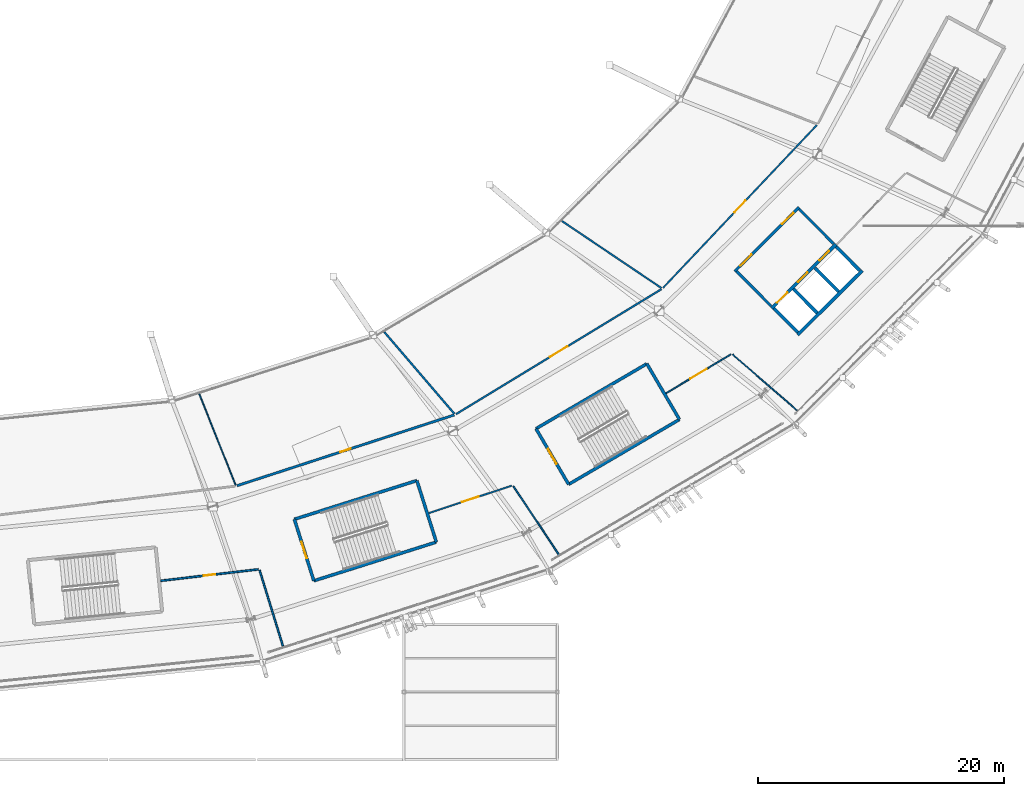
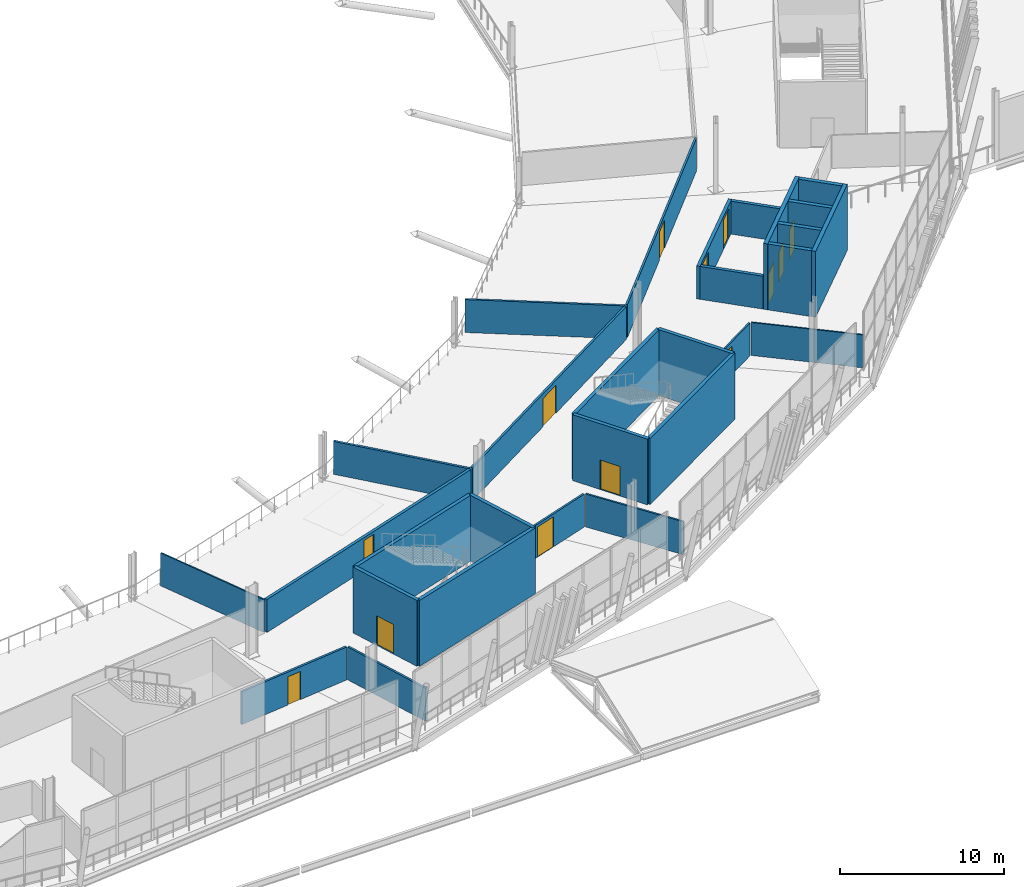
# One storey, part 121 of 168: 29 walls, 13 doors, 13 openings.
"""IFC4 building model written with IfcOpenShell, lengths in metres."""

from ifc_helpers import new_model, si_unit, direction, frame, frame_2d, origin, place, context, subcontext, project, spatial, rectangle, extrude, material, layer, layer_set, type_object, element, fill, save


model = new_model("IFC4")

# Units and contexts
model_context = context("Model", 3, precision=1e-05, world=origin(), true_north=direction((0.0, 1.0)))
body_context = subcontext(model_context, "Body", "Model", "MODEL_VIEW")
ifc_project = project(units=[si_unit("LENGTHUNIT", "METRE"), si_unit("AREAUNIT", "SQUARE_METRE"), si_unit("VOLUMEUNIT", "CUBIC_METRE"), si_unit("PLANEANGLEUNIT", "RADIAN"), si_unit("MASSUNIT", "GRAM", prefix="KILO")], contexts=[model_context])

# Site, building, storey
site_placement = place(None, origin())
site = spatial("IfcSite", under=ifc_project, at=site_placement, CompositionType="ELEMENT")
building_placement = place(site_placement, origin())
building = spatial("IfcBuilding", under=site, at=building_placement, Name="Zlatoyarsky Gate Stadium", CompositionType="ELEMENT")
storey_placement = place(building_placement, frame((0.0, 0.0, 15.60009765625)))
storey = spatial("IfcBuildingStorey", under=building, at=storey_placement, Name="L03", CompositionType="ELEMENT", Elevation=15.60009765625)

# Walls
ifc_material_1 = material(Name="Moisture-resistant masonry partition", Category="masonry")
ifc_layer_1 = layer(ifc_material_1, 0.139892578125)
ifc_layer_set_1 = layer_set([ifc_layer_1], Name="Moisture-resistant masonry partition")
wall_type_1 = type_object("IfcWallType", Name="ATHLETE CHANGING BLOCK PARTITION 140", PredefinedType="PARTITIONING", material=ifc_layer_set_1)
wall_1_placement = place(storey_placement, frame((160.373291015625, 43.802001953125, 0.0), z_axis=(0.0, 0.0, 1.0), x_axis=(0.829463685408, -0.5585606454, 0.0)))
element("IfcWall", 1, at=wall_1_placement, inside=storey, type_object=wall_type_1, Name="L03 interior partition PRT-L03-IRD-21", PredefinedType="PARTITIONING", context=body_context, shape_type="SweptSolid", body=[
    extrude(rectangle(XDim=9.748291015625, YDim=0.139892578125, at=frame_2d((4.8740234375, 0.0))), origin(), (0.0, 0.0, 1.0), 2.449951171875),
])
wall_2_placement = place(storey_placement, frame((135.76416015625, 15.402587890625, 0.0), z_axis=(0.0, 0.0, 1.0), x_axis=(0.294798640685, -0.955559397133, 0.0)))
element("IfcWall", 2, at=wall_2_placement, inside=storey, type_object=wall_type_1, Name="L03 interior partition PRT-L03-ORD-18R", PredefinedType="PARTITIONING", context=body_context, shape_type="SweptSolid", body=[
    extrude(rectangle(XDim=6.497802734375, YDim=0.139892578125, at=frame_2d((3.2490234375, 0.0))), origin(), (0.0, 0.0, 1.0), 2.449951171875),
])

# Wall, opening, door
ifc_material_2 = material(Name="Gypsum-clad mineral wool fire partition", Category="gypsum")
ifc_layer_2 = layer(ifc_material_2, 0.199951171875)
ifc_layer_set_2 = layer_set([ifc_layer_2], Name="Gypsum-clad mineral wool fire partition")
wall_type_2 = type_object("IfcWallType", Name="COMPARTMENT FIRE PARTITION WALL 200", PredefinedType="PARTITIONING", material=ifc_layer_set_2)
wall_3_placement = place(storey_placement, frame((133.928955078125, 22.27685546875, 0.0), z_axis=(0.0, 0.0, 1.0), x_axis=(0.950832746892, 0.309704839223, 0.0)))
wall_3 = element("IfcWall", 3, at=wall_3_placement, inside=storey, type_object=wall_type_2, Name="L03 interior partition PRT-L03-ICC-19", PredefinedType="PARTITIONING", context=body_context, shape_type="SweptSolid", body=[
    extrude(rectangle(XDim=18.581787109375, YDim=0.199951171875, at=frame_2d((9.291015625, 0.0))), origin(), (0.0, 0.0, 1.0), 2.449951171875),
])
opening_1_placement = place(wall_3_placement, frame((8.8408203125, 0.0, 0.0)))
opening_1 = element("IfcOpeningElement", 4, at=opening_1_placement, cuts=wall_3, Name="Opening D-L03-440", PredefinedType="OPENING", context=body_context, shape_type="SweptSolid", body=[
    extrude(rectangle(XDim=0.89990234375, YDim=2.239990234375, at=frame_2d((0.449951171875, 1.1201171875))), frame((0.0, 0.10986328125, 0.0), z_axis=(0.0, -1.0, 0.0), x_axis=(1.0, 0.0, 0.0)), (0.0, 0.0, 1.0), 0.219970703125),
])
ifc_material_3 = material(Name="Powder-coated steel fire door", Category="steel")
door_type_1 = type_object("IfcDoorType", Name="ACOUSTIC INTERIOR DOOR 900X2240", OperationType="NOTDEFINED", PredefinedType="DOOR", material=ifc_material_3)
door_1_placement = place(opening_1_placement, origin())
door_1 = element("IfcDoor", 5, at=door_1_placement, inside=storey, type_object=door_type_1, Name="L03 room door D-L03-440", OperationType="SINGLE_SWING_LEFT", OverallHeight=2.239990234375, OverallWidth=0.89990234375, PredefinedType="DOOR", context=body_context, shape_type="SweptSolid", body=[
    extrude(rectangle(XDim=0.89990234375, YDim=2.239990234375, at=frame_2d((0.449951171875, 1.1201171875))), frame((0.0, 0.02490234375, 0.0), z_axis=(0.0, -1.0, 0.0), x_axis=(1.0, 0.0, 0.0)), (0.0, 0.0, 1.0), 0.050048828125),
])
fill(opening_1, door_1)

ifc_material_4 = material(Name="Metal-stud gypsum partition", Category="gypsum")
ifc_layer_3 = layer(ifc_material_4, 0.14990234375)
ifc_layer_set_3 = layer_set([ifc_layer_3], Name="Metal-stud gypsum partition")
wall_type_3 = type_object("IfcWallType", Name="CONCOURSE CORRIDOR PARTITION 150", PredefinedType="PARTITIONING", material=ifc_layer_set_3)
wall_4_placement = place(storey_placement, frame((151.75048828125, 28.102294921875, 0.0), z_axis=(0.0, 0.0, 1.0), x_axis=(0.854342934422, 0.519709678959, 0.0)))
wall_4 = element("IfcWall", 6, at=wall_4_placement, inside=storey, type_object=wall_type_3, Name="L03 interior partition PRT-L03-ICC-20", PredefinedType="PARTITIONING", context=body_context, shape_type="SweptSolid", body=[
    extrude(rectangle(XDim=19.554931640625, YDim=0.14990234375, at=frame_2d((9.77734375, 0.0))), origin(), (0.0, 0.0, 1.0), 2.449951171875),
])
opening_2_placement = place(wall_4_placement, frame((8.9375, 0.0, 0.0)))
opening_2 = element("IfcOpeningElement", 7, at=opening_2_placement, cuts=wall_4, Name="Opening D-L03-442", PredefinedType="OPENING", context=body_context, shape_type="SweptSolid", body=[
    extrude(rectangle(XDim=1.679931640625, YDim=2.10009765625, at=frame_2d((0.83984375, 1.050048828125))), frame((0.0, 0.0849609375, 0.0), z_axis=(0.0, -1.0, 0.0), x_axis=(1.0, 0.0, 0.0)), (0.0, 0.0, 1.0), 0.169921875),
])
door_type_2 = type_object("IfcDoorType", Name="ACOUSTIC INTERIOR DOOR 1680X2100", OperationType="NOTDEFINED", PredefinedType="DOOR", material=ifc_material_3)
door_2_placement = place(opening_2_placement, origin())
door_2 = element("IfcDoor", 8, at=door_2_placement, inside=storey, type_object=door_type_2, Name="L03 room door D-L03-442", OperationType="SINGLE_SWING_RIGHT", OverallHeight=2.10009765625, OverallWidth=1.679931640625, PredefinedType="DOOR", context=body_context, shape_type="SweptSolid", body=[
    extrude(rectangle(XDim=1.679931640625, YDim=2.10009765625, at=frame_2d((0.83984375, 1.050048828125))), frame((0.0, 0.02490234375, 0.0), z_axis=(0.0, -1.0, 0.0), x_axis=(1.0, 0.0, 0.0)), (0.0, 0.0, 1.0), 0.050048828125),
])
fill(opening_2, door_2)

wall_5_placement = place(storey_placement, frame((127.723388671875, 14.5439453125, 0.0), z_axis=(0.0, 0.0, 1.0), x_axis=(0.993196645999, 0.116449226602, 0.0)))
wall_5 = element("IfcWall", 9, at=wall_5_placement, inside=storey, type_object=wall_type_3, Name="L03 interior partition PRT-L03-OCC-18-1", PredefinedType="PARTITIONING", context=body_context, shape_type="SweptSolid", body=[
    extrude(rectangle(XDim=7.98583984375, YDim=0.14990234375, at=frame_2d((3.992919921875, 0.0))), origin(), (0.0, 0.0, 1.0), 2.449951171875),
])
opening_3_placement = place(wall_5_placement, frame((3.512939453125, 0.0, 0.0)))
opening_3 = element("IfcOpeningElement", 10, at=opening_3_placement, cuts=wall_5, Name="Opening D-L03-482", PredefinedType="OPENING", context=body_context, shape_type="SweptSolid", body=[
    extrude(rectangle(XDim=0.9599609375, YDim=2.10009765625, at=frame_2d((0.47998046875, 1.050048828125))), frame((0.0, 0.0849609375, 0.0), z_axis=(0.0, -1.0, 0.0), x_axis=(1.0, 0.0, 0.0)), (0.0, 0.0, 1.0), 0.169921875),
])
door_type_3 = type_object("IfcDoorType", Name="ACOUSTIC INTERIOR DOOR 960X2100", OperationType="NOTDEFINED", PredefinedType="DOOR", material=ifc_material_3)
door_3_placement = place(opening_3_placement, origin())
door_3 = element("IfcDoor", 11, at=door_3_placement, inside=storey, type_object=door_type_3, Name="L03 room door D-L03-482", OperationType="SINGLE_SWING_RIGHT", OverallHeight=2.10009765625, OverallWidth=0.9599609375, PredefinedType="DOOR", context=body_context, shape_type="SweptSolid", body=[
    extrude(rectangle(XDim=0.9599609375, YDim=2.10009765625, at=frame_2d((0.47998046875, 1.050048828125))), frame((0.0, 0.02490234375, 0.0), z_axis=(0.0, -1.0, 0.0), x_axis=(1.0, 0.0, 0.0)), (0.0, 0.0, 1.0), 0.050048828125),
])
fill(opening_3, door_3)

# Walls
ifc_material_5 = material(Name="Concrete C40/50", Category="concrete")
ifc_layer_4 = layer(ifc_material_5, 0.27001953125)
ifc_layer_set_4 = layer_set([ifc_layer_4], Name="Concrete C40/50")
wall_type_4 = type_object("IfcWallType", Name="CONCRETE LIFT SHAFT SHEAR WALL 270", PredefinedType="SHEAR", material=ifc_layer_set_4)
wall_6_placement = place(storey_placement, frame((179.547119140625, 34.556396484375, 0.0), z_axis=(0.0, 0.0, 1.0), x_axis=(0.708902567846, 0.705306422274, 0.0)))
element("IfcWall", 12, at=wall_6_placement, inside=storey, type_object=wall_type_4, Name="C4 L03 lift shaft rear wall", PredefinedType="SHEAR", context=body_context, shape_type="SweptSolid", body=[
    extrude(rectangle(XDim=7.39990234375, YDim=0.27001953125, at=frame_2d((3.699951171875, 0.0))), origin(), (0.0, 0.0, 1.0), 4.89990234375),
])
for number, where, z_axis, x_axis, name in (
    (13, (179.54052734375, 34.75439453125, 0.0), (0.0, 0.0, 1.0), (-0.705322518225, 0.708886553183, 0.0), "C4 L03 lift shaft left wall"),
    (14, (184.594970703125, 39.783203125, 0.0), (0.0, 0.0, 1.0), (-0.705322518225, 0.708886553183, 0.0), "C4 L03 lift shaft right wall"),
    (15, (181.12841796875, 36.334228515625, 0.0), (0.0, 0.0, 1.0), (-0.705322518225, 0.708886553183, 0.0), "C4 L03 lift shaft divider 1"),
    (16, (182.865234375, 38.062255859375, 0.0), (0.0, 0.0, 1.0), (-0.705322518225, 0.708886553183, 0.0), "C4 L03 lift shaft divider 2"),
):
    element("IfcWall", number, at=place(storey_placement, frame(where, z_axis=z_axis, x_axis=x_axis)), inside=storey, type_object=wall_type_4, Name=name, PredefinedType="SHEAR", context=body_context, shape_type="SweptSolid", body=[
        extrude(rectangle(XDim=2.739990234375, YDim=0.27001953125, at=frame_2d((1.3701171875, 0.0))), origin(), (0.0, 0.0, 1.0), 4.89990234375),
    ])

# Wall, openings, doors
wall_7_placement = place(storey_placement, frame((177.409912109375, 36.704345703125, 0.0), z_axis=(0.0, 0.0, 1.0), x_axis=(0.708918979457, 0.705289926602, 0.0)))
wall_7 = element("IfcWall", 17, at=wall_7_placement, inside=storey, type_object=wall_type_4, Name="C4 L03 lift landing front wall", PredefinedType="SHEAR", context=body_context, shape_type="SweptSolid", body=[
    extrude(rectangle(XDim=7.400146484375, YDim=0.27001953125, at=frame_2d((3.7001953125, 0.0))), origin(), (0.0, 0.0, 1.0), 4.89990234375),
])
opening_4_placement = place(wall_7_placement, frame((0.64990234375, 0.0, 0.0)))
opening_4 = element("IfcOpeningElement", 18, at=opening_4_placement, cuts=wall_7, Name="Opening LD-FL-04-L03", PredefinedType="OPENING", context=body_context, shape_type="SweptSolid", body=[
    extrude(rectangle(XDim=1.199951171875, YDim=2.25, at=frame_2d((0.60009765625, 1.125))), frame((0.0, 0.14501953125, 0.0), z_axis=(0.0, -1.0, 0.0), x_axis=(1.0, 0.0, 0.0)), (0.0, 0.0, 1.0), 0.2900390625),
])
opening_5_placement = place(wall_7_placement, frame((3.050048828125, 0.0, 0.0)))
opening_5 = element("IfcOpeningElement", 19, at=opening_5_placement, cuts=wall_7, Name="Opening LD-LF-07-L03", PredefinedType="OPENING", context=body_context, shape_type="SweptSolid", body=[
    extrude(rectangle(XDim=1.10009765625, YDim=2.199951171875, at=frame_2d((0.550048828125, 1.10009765625))), frame((0.0, 0.14501953125, 0.0), z_axis=(0.0, -1.0, 0.0), x_axis=(1.0, 0.0, 0.0)), (0.0, 0.0, 1.0), 0.2900390625),
])
opening_6_placement = place(wall_7_placement, frame((5.5, 0.0, 0.0)))
opening_6 = element("IfcOpeningElement", 20, at=opening_6_placement, cuts=wall_7, Name="Opening LD-LF-08-L03", PredefinedType="OPENING", context=body_context, shape_type="SweptSolid", body=[
    extrude(rectangle(XDim=1.10009765625, YDim=2.199951171875, at=frame_2d((0.550048828125, 1.10009765625))), frame((0.0, 0.14501953125, 0.0), z_axis=(0.0, -1.0, 0.0), x_axis=(1.0, 0.0, 0.0)), (0.0, 0.0, 1.0), 0.2900390625),
])
door_type_4 = type_object("IfcDoorType", Name="STAINLESS LIFT LANDING SLIDING DOOR 1100X2200", OperationType="DOUBLE_DOOR_SLIDING", PredefinedType="DOOR", material=ifc_material_3)
door_4_placement = place(opening_5_placement, origin())
door_4 = element("IfcDoor", 21, at=door_4_placement, inside=storey, type_object=door_type_4, Name="Lift LF-07 L03 sliding landing door", OperationType="DOUBLE_DOOR_SLIDING", OverallHeight=2.199951171875, OverallWidth=1.10009765625, PredefinedType="DOOR", context=body_context, shape_type="SweptSolid", body=[
    extrude(rectangle(XDim=1.10009765625, YDim=2.199951171875, at=frame_2d((0.550048828125, 1.10009765625))), frame((0.0, 0.02490234375, 0.0), z_axis=(0.0, -1.0, 0.0), x_axis=(1.0, 0.0, 0.0)), (0.0, 0.0, 1.0), 0.050048828125),
])
fill(opening_5, door_4)
door_5_placement = place(opening_6_placement, origin())
door_5 = element("IfcDoor", 22, at=door_5_placement, inside=storey, type_object=door_type_4, Name="Lift LF-08 L03 sliding landing door", OperationType="DOUBLE_DOOR_SLIDING", OverallHeight=2.199951171875, OverallWidth=1.10009765625, PredefinedType="DOOR", context=body_context, shape_type="SweptSolid", body=[
    extrude(rectangle(XDim=1.10009765625, YDim=2.199951171875, at=frame_2d((0.550048828125, 1.10009765625))), frame((0.0, 0.02490234375, 0.0), z_axis=(0.0, -1.0, 0.0), x_axis=(1.0, 0.0, 0.0)), (0.0, 0.0, 1.0), 0.050048828125),
])
fill(opening_6, door_5)
door_type_5 = type_object("IfcDoorType", Name="STAINLESS LIFT LANDING SLIDING DOOR 1200X2250", OperationType="DOUBLE_DOOR_SLIDING", PredefinedType="DOOR", material=ifc_material_3)
door_6_placement = place(opening_4_placement, origin())
door_6 = element("IfcDoor", 23, at=door_6_placement, inside=storey, type_object=door_type_5, Name="Lift FL-04 L03 sliding landing door", OperationType="DOUBLE_DOOR_SLIDING", OverallHeight=2.25, OverallWidth=1.199951171875, PredefinedType="DOOR", context=body_context, shape_type="SweptSolid", body=[
    extrude(rectangle(XDim=1.199951171875, YDim=2.25, at=frame_2d((0.60009765625, 1.125))), frame((0.0, 0.02490234375, 0.0), z_axis=(0.0, -1.0, 0.0), x_axis=(1.0, 0.0, 0.0)), (0.0, 0.0, 1.0), 0.050048828125),
])
fill(opening_4, door_6)

# Wall, opening, door
ifc_layer_5 = layer(ifc_material_5, 0.25)
ifc_layer_set_5 = layer_set([ifc_layer_5], Name="Concrete C40/50")
wall_type_5 = type_object("IfcWallType", Name="CONCRETE STAIR CORE SHEAR WALL 250", PredefinedType="SHEAR", material=ifc_layer_set_5)
wall_8_placement = place(storey_placement, frame((158.25341796875, 26.916015625, 0.0), z_axis=(0.0, 0.0, 1.0), x_axis=(0.505460490551, -0.862849750821, 0.0)))
wall_8 = element("IfcWall", 24, at=wall_8_placement, inside=storey, type_object=wall_type_5, Name="ST-11 L03 stair core entrance shear wall", PredefinedType="SHEAR", context=body_context, shape_type="SweptSolid", body=[
    extrude(rectangle(XDim=5.249755859375, YDim=0.25, at=frame_2d((2.625, 0.0))), origin(), (0.0, 0.0, 1.0), 4.89990234375),
])
opening_7_placement = place(wall_8_placement, frame((1.925048828125, 0.0, 0.0)))
opening_7 = element("IfcOpeningElement", 25, at=opening_7_placement, cuts=wall_8, Name="Opening SD-ST-11-L03", PredefinedType="OPENING", context=body_context, shape_type="SweptSolid", body=[
    extrude(rectangle(XDim=1.39990234375, YDim=2.199951171875, at=frame_2d((0.699951171875, 1.10009765625))), frame((0.0, 0.135009765625, 0.0), z_axis=(0.0, -1.0, 0.0), x_axis=(1.0, 0.0, 0.0)), (0.0, 0.0, 1.0), 0.27001953125),
])
door_type_6 = type_object("IfcDoorType", Name="STAIR CORE FIRE EXIT DOOR 1400X2200", OperationType="NOTDEFINED", PredefinedType="DOOR", material=ifc_material_3)
door_7_placement = place(opening_7_placement, frame((1.39990234375, 0.0, 0.0), z_axis=(0.0, 0.0, 1.0), x_axis=(-1.0, 0.0, 0.0)))
door_7 = element("IfcDoor", 26, at=door_7_placement, inside=storey, type_object=door_type_6, Name="ST-11 L03 stair fire door", OperationType="SINGLE_SWING_LEFT", OverallHeight=2.199951171875, OverallWidth=1.39990234375, PredefinedType="DOOR", context=body_context, shape_type="SweptSolid", body=[
    extrude(rectangle(XDim=1.39990234375, YDim=2.199951171875, at=frame_2d((0.699951171875, 1.10009765625))), frame((0.0, 0.02490234375, 0.0), z_axis=(0.0, -1.0, 0.0), x_axis=(1.0, 0.0, 0.0)), (0.0, 0.0, 1.0), 0.050048828125),
])
fill(opening_7, door_7)

# Walls
wall_9_placement = place(storey_placement, frame((160.906982421875, 22.38623046875, 0.0), z_axis=(0.0, 0.0, 1.0), x_axis=(0.862854686184, 0.505452065513, 0.0)))
element("IfcWall", 27, at=wall_9_placement, inside=storey, type_object=wall_type_5, Name="ST-11 L03 stair core left shear wall", PredefinedType="SHEAR", context=body_context, shape_type="SweptSolid", body=[
    extrude(rectangle(XDim=10.449951171875, YDim=0.25, at=frame_2d((5.22509765625, 0.0))), origin(), (0.0, 0.0, 1.0), 4.89990234375),
])
wall_10_placement = place(storey_placement, frame((169.923828125, 27.668212890625, 0.0), z_axis=(0.0, 0.0, 1.0), x_axis=(-0.505474830399, 0.862841350327, 0.0)))
element("IfcWall", 28, at=wall_10_placement, inside=storey, type_object=wall_type_5, Name="ST-11 L03 stair core far shear wall", PredefinedType="SHEAR", context=body_context, shape_type="SweptSolid", body=[
    extrude(rectangle(XDim=5.250244140625, YDim=0.25, at=frame_2d((2.625, 0.0))), origin(), (0.0, 0.0, 1.0), 4.89990234375),
])
wall_11_placement = place(storey_placement, frame((167.27001953125, 32.1982421875, 0.0), z_axis=(0.0, 0.0, 1.0), x_axis=(-0.862838527648, -0.505479648657, 0.0)))
element("IfcWall", 29, at=wall_11_placement, inside=storey, type_object=wall_type_5, Name="ST-11 L03 stair core right shear wall", PredefinedType="SHEAR", context=body_context, shape_type="SweptSolid", body=[
    extrude(rectangle(XDim=10.449951171875, YDim=0.25, at=frame_2d((5.22509765625, 0.0))), origin(), (0.0, 0.0, 1.0), 4.89990234375),
])

# Wall, opening, door
wall_12_placement = place(storey_placement, frame((138.599609375, 19.5478515625, 0.0), z_axis=(0.0, 0.0, 1.0), x_axis=(0.30152749866, -0.953457480726, 0.0)))
wall_12 = element("IfcWall", 30, at=wall_12_placement, inside=storey, type_object=wall_type_5, Name="ST-16 L03 stair core entrance shear wall", PredefinedType="SHEAR", context=body_context, shape_type="SweptSolid", body=[
    extrude(rectangle(XDim=5.25, YDim=0.25, at=frame_2d((2.625, 0.0))), origin(), (0.0, 0.0, 1.0), 4.89990234375),
])
opening_8_placement = place(wall_12_placement, frame((1.925048828125, 0.0, 0.0)))
opening_8 = element("IfcOpeningElement", 31, at=opening_8_placement, cuts=wall_12, Name="Opening SD-ST-16-L03", PredefinedType="OPENING", context=body_context, shape_type="SweptSolid", body=[
    extrude(rectangle(XDim=1.39990234375, YDim=2.199951171875, at=frame_2d((0.699951171875, 1.10009765625))), frame((0.0, 0.135009765625, 0.0), z_axis=(0.0, -1.0, 0.0), x_axis=(1.0, 0.0, 0.0)), (0.0, 0.0, 1.0), 0.27001953125),
])
door_8_placement = place(opening_8_placement, frame((1.39990234375, 0.0, 0.0), z_axis=(0.0, 0.0, 1.0), x_axis=(-1.0, 0.0, 0.0)))
door_8 = element("IfcDoor", 32, at=door_8_placement, inside=storey, type_object=door_type_6, Name="ST-16 L03 stair fire door", OperationType="SINGLE_SWING_LEFT", OverallHeight=2.199951171875, OverallWidth=1.39990234375, PredefinedType="DOOR", context=body_context, shape_type="SweptSolid", body=[
    extrude(rectangle(XDim=1.39990234375, YDim=2.199951171875, at=frame_2d((0.699951171875, 1.10009765625))), frame((0.0, 0.02490234375, 0.0), z_axis=(0.0, -1.0, 0.0), x_axis=(1.0, 0.0, 0.0)), (0.0, 0.0, 1.0), 0.050048828125),
])
fill(opening_8, door_8)

# Walls
wall_13_placement = place(storey_placement, frame((140.1826171875, 14.542236328125, 0.0), z_axis=(0.0, 0.0, 1.0), x_axis=(0.953459710305, 0.301520448438, 0.0)))
element("IfcWall", 33, at=wall_13_placement, inside=storey, type_object=wall_type_5, Name="ST-16 L03 stair core left shear wall", PredefinedType="SHEAR", context=body_context, shape_type="SweptSolid", body=[
    extrude(rectangle(XDim=10.449951171875, YDim=0.25, at=frame_2d((5.22509765625, 0.0))), origin(), (0.0, 0.0, 1.0), 4.89990234375),
])
wall_14_placement = place(storey_placement, frame((150.146240234375, 17.693115234375, 0.0), z_axis=(0.0, 0.0, 1.0), x_axis=(-0.30152749866, 0.953457480726, 0.0)))
element("IfcWall", 34, at=wall_14_placement, inside=storey, type_object=wall_type_5, Name="ST-16 L03 stair core far shear wall", PredefinedType="SHEAR", context=body_context, shape_type="SweptSolid", body=[
    extrude(rectangle(XDim=5.25, YDim=0.25, at=frame_2d((2.625, 0.0))), origin(), (0.0, 0.0, 1.0), 4.89990234375),
])
wall_15_placement = place(storey_placement, frame((148.563232421875, 22.69873046875, 0.0), z_axis=(0.0, 0.0, 1.0), x_axis=(-0.953459710305, -0.301520448438, 0.0)))
element("IfcWall", 35, at=wall_15_placement, inside=storey, type_object=wall_type_5, Name="ST-16 L03 stair core right shear wall", PredefinedType="SHEAR", context=body_context, shape_type="SweptSolid", body=[
    extrude(rectangle(XDim=10.449951171875, YDim=0.25, at=frame_2d((5.22509765625, 0.0))), origin(), (0.0, 0.0, 1.0), 4.89990234375),
])
ifc_material_6 = material(Name="Autoclaved aerated concrete masonry EI 120", Category="masonry")
ifc_layer_6 = layer(ifc_material_6, 0.219970703125)
ifc_layer_set_6 = layer_set([ifc_layer_6], Name="Autoclaved aerated concrete masonry EI 120")
wall_type_6 = type_object("IfcWallType", Name="FIREFIGHTING LOBBY RATED WALL 220", PredefinedType="PARTITIONING", material=ifc_layer_set_6)
for number, where, z_axis, x_axis, name in (
    (36, (177.378662109375, 36.8916015625, 0.0), (0.0, 0.0, 1.0), (-0.705294916294, 0.708914015273, 0.0), "C4 L03 firefighting lobby left wall"),
    (37, (182.468505859375, 41.955810546875, 0.0), (0.0, 0.0, 1.0), (-0.705294916294, 0.708914015273, 0.0), "C4 L03 firefighting lobby right wall"),
):
    element("IfcWall", number, at=place(storey_placement, frame(where, z_axis=z_axis, x_axis=x_axis)), inside=storey, type_object=wall_type_6, Name=name, PredefinedType="PARTITIONING", context=body_context, shape_type="SweptSolid", body=[
        extrude(rectangle(XDim=3.97998046875, YDim=0.219970703125, at=frame_2d((1.989990234375, 0.0))), origin(), (0.0, 0.0, 1.0), 2.449951171875),
    ])

# Wall, openings, doors
wall_16_placement = place(storey_placement, frame((174.416015625, 39.713623046875, 0.0), z_axis=(0.0, 0.0, 1.0), x_axis=(0.708902567846, 0.705306422274, 0.0)))
wall_16 = element("IfcWall", 38, at=wall_16_placement, inside=storey, type_object=wall_type_6, Name="C4 L03 firefighting lobby front wall", PredefinedType="PARTITIONING", context=body_context, shape_type="SweptSolid", body=[
    extrude(rectangle(XDim=7.39990234375, YDim=0.219970703125, at=frame_2d((3.699951171875, 0.0))), origin(), (0.0, 0.0, 1.0), 2.449951171875),
])
opening_9_placement = place(wall_16_placement, frame((0.64990234375, 0.0, 0.0)))
opening_9 = element("IfcOpeningElement", 39, at=opening_9_placement, cuts=wall_16, Name="Opening FD-C4-L03-A", PredefinedType="OPENING", context=body_context, shape_type="SweptSolid", body=[
    extrude(rectangle(XDim=1.300048828125, YDim=2.199951171875, at=frame_2d((0.64990234375, 1.10009765625))), frame((0.0, 0.119873046875, 0.0), z_axis=(0.0, -1.0, 0.0), x_axis=(1.0, 0.0, 0.0)), (0.0, 0.0, 1.0), 0.239990234375),
])
opening_10_placement = place(wall_16_placement, frame((5.449951171875, 0.0, 0.0)))
opening_10 = element("IfcOpeningElement", 40, at=opening_10_placement, cuts=wall_16, Name="Opening FD-C4-L03-B", PredefinedType="OPENING", context=body_context, shape_type="SweptSolid", body=[
    extrude(rectangle(XDim=1.300048828125, YDim=2.199951171875, at=frame_2d((0.64990234375, 1.10009765625))), frame((0.0, 0.119873046875, 0.0), z_axis=(0.0, -1.0, 0.0), x_axis=(1.0, 0.0, 0.0)), (0.0, 0.0, 1.0), 0.239990234375),
])
door_type_7 = type_object("IfcDoorType", Name="FIREFIGHTING LOBBY FIRE DOOR 1300X2200", OperationType="NOTDEFINED", PredefinedType="DOOR", material=ifc_material_3)
door_9_placement = place(opening_9_placement, origin())
door_9 = element("IfcDoor", 41, at=door_9_placement, inside=storey, type_object=door_type_7, Name="C4 L03 firefighting lobby fire door FD-C4-L03-A", OperationType="SINGLE_SWING_LEFT", OverallHeight=2.199951171875, OverallWidth=1.300048828125, PredefinedType="DOOR", context=body_context, shape_type="SweptSolid", body=[
    extrude(rectangle(XDim=1.300048828125, YDim=2.199951171875, at=frame_2d((0.64990234375, 1.10009765625))), frame((0.0, 0.02490234375, 0.0), z_axis=(0.0, -1.0, 0.0), x_axis=(1.0, 0.0, 0.0)), (0.0, 0.0, 1.0), 0.050048828125),
])
fill(opening_9, door_9)
door_10_placement = place(opening_10_placement, origin())
door_10 = element("IfcDoor", 42, at=door_10_placement, inside=storey, type_object=door_type_7, Name="C4 L03 firefighting lobby fire door FD-C4-L03-B", OperationType="SINGLE_SWING_RIGHT", OverallHeight=2.199951171875, OverallWidth=1.300048828125, PredefinedType="DOOR", context=body_context, shape_type="SweptSolid", body=[
    extrude(rectangle(XDim=1.300048828125, YDim=2.199951171875, at=frame_2d((0.64990234375, 1.10009765625))), frame((0.0, 0.02490234375, 0.0), z_axis=(0.0, -1.0, 0.0), x_axis=(1.0, 0.0, 0.0)), (0.0, 0.0, 1.0), 0.050048828125),
])
fill(opening_10, door_10)

# Walls
ifc_material_7 = material(Name="Timber-veneered acoustic operable partition", Category="wood")
ifc_layer_7 = layer(ifc_material_7, 0.094970703125)
ifc_layer_set_7 = layer_set([ifc_layer_7], Name="Timber-veneered acoustic operable partition")
wall_type_7 = type_object("IfcWallType", Name="FOLDING BANQUET SALON WALL 95", PredefinedType="MOVABLE", material=ifc_layer_set_7)
wall_17_placement = place(storey_placement, frame((130.8681640625, 29.737060546875, 0.0), z_axis=(0.0, 0.0, 1.0), x_axis=(0.3698220883, -0.92910259014, 0.0)))
element("IfcWall", 43, at=wall_17_placement, inside=storey, type_object=wall_type_7, Name="L03 interior partition PRT-L03-IRD-19", PredefinedType="MOVABLE", context=body_context, shape_type="SweptSolid", body=[
    extrude(rectangle(XDim=7.97265625, YDim=0.094970703125, at=frame_2d((3.986328125, 0.0))), origin(), (0.0, 0.0, 1.0), 2.449951171875),
])
ifc_material_8 = material(Name="Acoustic metal-stud gypsum partition", Category="gypsum")
ifc_layer_8 = layer(ifc_material_8, 0.159912109375)
ifc_layer_set_8 = layer_set([ifc_layer_8], Name="Acoustic metal-stud gypsum partition")
wall_type_8 = type_object("IfcWallType", Name="HOSPITALITY SUITE PARTITION 160", PredefinedType="PARTITIONING", material=ifc_layer_set_8)
wall_18_placement = place(storey_placement, frame((145.91943359375, 34.772216796875, 0.0), z_axis=(0.0, 0.0, 1.0), x_axis=(0.651016262889, -0.759063782204, 0.0)))
element("IfcWall", 44, at=wall_18_placement, inside=storey, type_object=wall_type_8, Name="L03 interior partition PRT-L03-IRD-20", PredefinedType="PARTITIONING", context=body_context, shape_type="SweptSolid", body=[
    extrude(rectangle(XDim=8.76025390625, YDim=0.159912109375, at=frame_2d((4.380126953125, 0.0))), origin(), (0.0, 0.0, 1.0), 2.449951171875),
])

# Wall, opening, door
ifc_layer_9 = layer(ifc_material_4, 0.110107421875)
ifc_layer_set_9 = layer_set([ifc_layer_9], Name="Metal-stud gypsum partition")
wall_type_9 = type_object("IfcWallType", Name="KIOSK SERVICE PARTITION 110", PredefinedType="PARTITIONING", material=ifc_layer_set_9)
wall_19_placement = place(storey_placement, frame((168.828125, 29.795654296875, 0.0), z_axis=(0.0, 0.0, 1.0), x_axis=(0.857311024585, 0.514798802567, 0.0)))
wall_19 = element("IfcWall", 45, at=wall_19_placement, inside=storey, type_object=wall_type_9, Name="L03 interior partition PRT-L03-OCC-20-1", PredefinedType="PARTITIONING", context=body_context, shape_type="SweptSolid", body=[
    extrude(rectangle(XDim=6.159912109375, YDim=0.110107421875, at=frame_2d((3.080078125, 0.0))), origin(), (0.0, 0.0, 1.0), 2.449951171875),
])
opening_11_placement = place(wall_19_placement, frame((2.300048828125, 0.0, 0.0)))
opening_11 = element("IfcOpeningElement", 46, at=opening_11_placement, cuts=wall_19, Name="Opening D-L03-486", PredefinedType="OPENING", context=body_context, shape_type="SweptSolid", body=[
    extrude(rectangle(XDim=1.56005859375, YDim=2.10009765625, at=frame_2d((0.780029296875, 1.050048828125))), frame((0.0, 0.06494140625, 0.0), z_axis=(0.0, -1.0, 0.0), x_axis=(1.0, 0.0, 0.0)), (0.0, 0.0, 1.0), 0.130126953125),
])
ifc_material_9 = material(Name="Solid-core oak veneer acoustic door", Category="wood")
door_type_8 = type_object("IfcDoorType", Name="ACOUSTIC INTERIOR DOOR 1560X2100", OperationType="NOTDEFINED", PredefinedType="DOOR", material=ifc_material_9)
door_11_placement = place(opening_11_placement, origin())
door_11 = element("IfcDoor", 47, at=door_11_placement, inside=storey, type_object=door_type_8, Name="L03 room door D-L03-486", OperationType="SINGLE_SWING_RIGHT", OverallHeight=2.10009765625, OverallWidth=1.56005859375, PredefinedType="DOOR", context=body_context, shape_type="SweptSolid", body=[
    extrude(rectangle(XDim=1.56005859375, YDim=2.10009765625, at=frame_2d((0.780029296875, 1.050048828125))), frame((0.0, 0.02490234375, 0.0), z_axis=(0.0, -1.0, 0.0), x_axis=(1.0, 0.0, 0.0)), (0.0, 0.0, 1.0), 0.050048828125),
])
fill(opening_11, door_11)

# Walls
ifc_layer_10 = layer(ifc_material_4, 0.10009765625)
ifc_layer_set_10 = layer_set([ifc_layer_10], Name="Metal-stud gypsum partition")
wall_type_10 = type_object("IfcWallType", Name="LIGHT STORAGE PARTITION 100", PredefinedType="PARTITIONING", material=ifc_layer_set_10)
wall_20_placement = place(storey_placement, frame((174.246337890625, 32.954833984375, 0.0), z_axis=(0.0, 0.0, 1.0), x_axis=(0.755051896795, -0.655665031206, 0.0)))
element("IfcWall", 48, at=wall_20_placement, inside=storey, type_object=wall_type_10, Name="L03 interior partition PRT-L03-ORD-20R", PredefinedType="PARTITIONING", context=body_context, shape_type="SweptSolid", body=[
    extrude(rectangle(XDim=6.9443359375, YDim=0.10009765625, at=frame_2d((3.47216796875, 0.0))), origin(), (0.0, 0.0, 1.0), 2.449951171875),
])
ifc_layer_11 = layer(ifc_material_4, 0.1201171875)
ifc_layer_set_11 = layer_set([ifc_layer_11], Name="Metal-stud gypsum partition")
wall_type_11 = type_object("IfcWallType", Name="OFFICE AND PRESS PARTITION 120", PredefinedType="PARTITIONING", material=ifc_layer_set_11)
wall_21_placement = place(storey_placement, frame((156.412353515625, 22.24072265625, 0.0), z_axis=(0.0, 0.0, 1.0), x_axis=(0.55367221868, -0.832734696204, 0.0)))
element("IfcWall", 49, at=wall_21_placement, inside=storey, type_object=wall_type_11, Name="L03 interior partition PRT-L03-ORD-19R", PredefinedType="PARTITIONING", context=body_context, shape_type="SweptSolid", body=[
    extrude(rectangle(XDim=6.689208984375, YDim=0.1201171875, at=frame_2d((3.3447265625, 0.0))), origin(), (0.0, 0.0, 1.0), 2.449951171875),
])

# Wall, opening, door
ifc_material_10 = material(Name="Moisture-resistant tile-backed partition", Category="gypsum")
ifc_layer_12 = layer(ifc_material_10, 0.1298828125)
ifc_layer_set_12 = layer_set([ifc_layer_12], Name="Moisture-resistant tile-backed partition")
wall_type_12 = type_object("IfcWallType", Name="SANITARY WET ROOM PARTITION 130", PredefinedType="PARTITIONING", material=ifc_layer_set_12)
wall_22_placement = place(storey_placement, frame((168.588134765625, 38.37109375, 0.0), z_axis=(0.0, 0.0, 1.0), x_axis=(0.686776525623, 0.72686862902, 0.0)))
wall_22 = element("IfcWall", 50, at=wall_22_placement, inside=storey, type_object=wall_type_12, Name="L03 interior partition PRT-L03-ICC-21", PredefinedType="PARTITIONING", context=body_context, shape_type="SweptSolid", body=[
    extrude(rectangle(XDim=18.225830078125, YDim=0.1298828125, at=frame_2d((9.11279296875, 0.0))), origin(), (0.0, 0.0, 1.0), 2.449951171875),
])
opening_12_placement = place(wall_22_placement, frame((8.44287109375, 0.0, 0.0)))
opening_12 = element("IfcOpeningElement", 51, at=opening_12_placement, cuts=wall_22, Name="Opening D-L03-444", PredefinedType="OPENING", context=body_context, shape_type="SweptSolid", body=[
    extrude(rectangle(XDim=1.340087890625, YDim=2.10009765625, at=frame_2d((0.669921875, 1.050048828125))), frame((0.0, 0.074951171875, 0.0), z_axis=(0.0, -1.0, 0.0), x_axis=(1.0, 0.0, 0.0)), (0.0, 0.0, 1.0), 0.14990234375),
])
door_type_9 = type_object("IfcDoorType", Name="ACOUSTIC INTERIOR DOOR 1340X2100", OperationType="NOTDEFINED", PredefinedType="DOOR", material=ifc_material_9)
door_12_placement = place(opening_12_placement, origin())
door_12 = element("IfcDoor", 52, at=door_12_placement, inside=storey, type_object=door_type_9, Name="L03 room door D-L03-444", OperationType="SINGLE_SWING_LEFT", OverallHeight=2.10009765625, OverallWidth=1.340087890625, PredefinedType="DOOR", context=body_context, shape_type="SweptSolid", body=[
    extrude(rectangle(XDim=1.340087890625, YDim=2.10009765625, at=frame_2d((0.669921875, 1.050048828125))), frame((0.0, 0.02490234375, 0.0), z_axis=(0.0, -1.0, 0.0), x_axis=(1.0, 0.0, 0.0)), (0.0, 0.0, 1.0), 0.050048828125),
])
fill(opening_12, door_12)

wall_23_placement = place(storey_placement, frame((149.536865234375, 20.05126953125, 0.0), z_axis=(0.0, 0.0, 1.0), x_axis=(0.949337322042, 0.314258888464, 0.0)))
wall_23 = element("IfcWall", 53, at=wall_23_placement, inside=storey, type_object=wall_type_12, Name="L03 interior partition PRT-L03-OCC-19-1", PredefinedType="PARTITIONING", context=body_context, shape_type="SweptSolid", body=[
    extrude(rectangle(XDim=7.107666015625, YDim=0.1298828125, at=frame_2d((3.5537109375, 0.0))), origin(), (0.0, 0.0, 1.0), 2.449951171875),
])
opening_13_placement = place(wall_23_placement, frame((2.833984375, 0.0, 0.0)))
opening_13 = element("IfcOpeningElement", 54, at=opening_13_placement, cuts=wall_23, Name="Opening D-L03-484", PredefinedType="OPENING", context=body_context, shape_type="SweptSolid", body=[
    extrude(rectangle(XDim=1.43994140625, YDim=2.239990234375, at=frame_2d((0.719970703125, 1.1201171875))), frame((0.0, 0.074951171875, 0.0), z_axis=(0.0, -1.0, 0.0), x_axis=(1.0, 0.0, 0.0)), (0.0, 0.0, 1.0), 0.14990234375),
])
door_type_10 = type_object("IfcDoorType", Name="ACOUSTIC INTERIOR DOOR 1440X2240", OperationType="NOTDEFINED", PredefinedType="DOOR", material=ifc_material_9)
door_13_placement = place(opening_13_placement, origin())
door_13 = element("IfcDoor", 55, at=door_13_placement, inside=storey, type_object=door_type_10, Name="L03 room door D-L03-484", OperationType="SINGLE_SWING_LEFT", OverallHeight=2.239990234375, OverallWidth=1.43994140625, PredefinedType="DOOR", context=body_context, shape_type="SweptSolid", body=[
    extrude(rectangle(XDim=1.43994140625, YDim=2.239990234375, at=frame_2d((0.719970703125, 1.1201171875))), frame((0.0, 0.02490234375, 0.0), z_axis=(0.0, -1.0, 0.0), x_axis=(1.0, 0.0, 0.0)), (0.0, 0.0, 1.0), 0.050048828125),
])
fill(opening_13, door_13)

save(model, "model.ifc")
